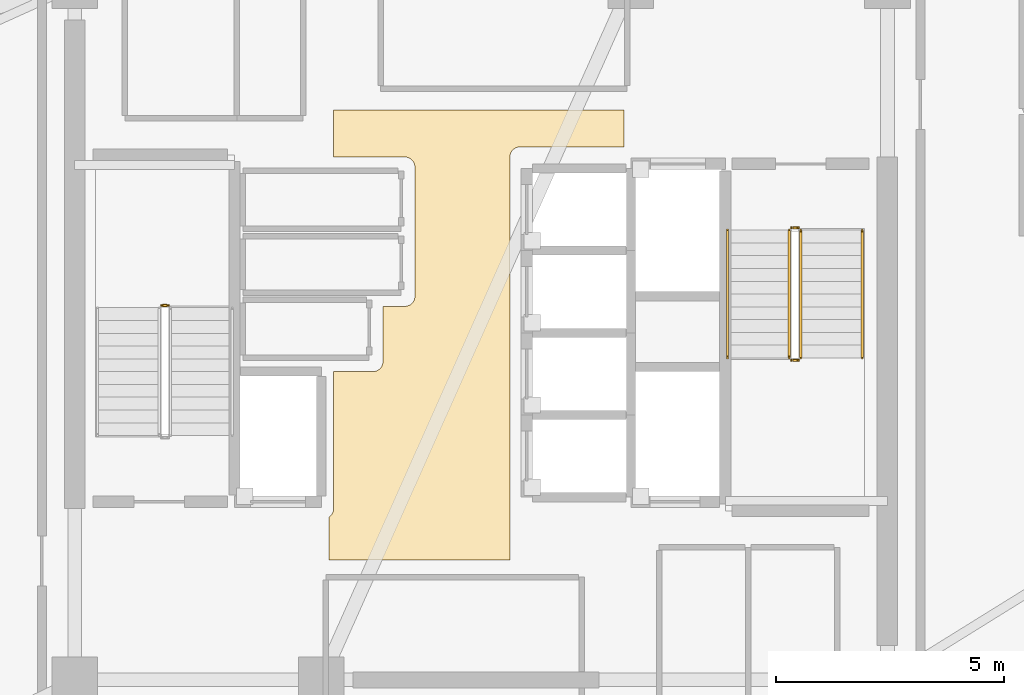
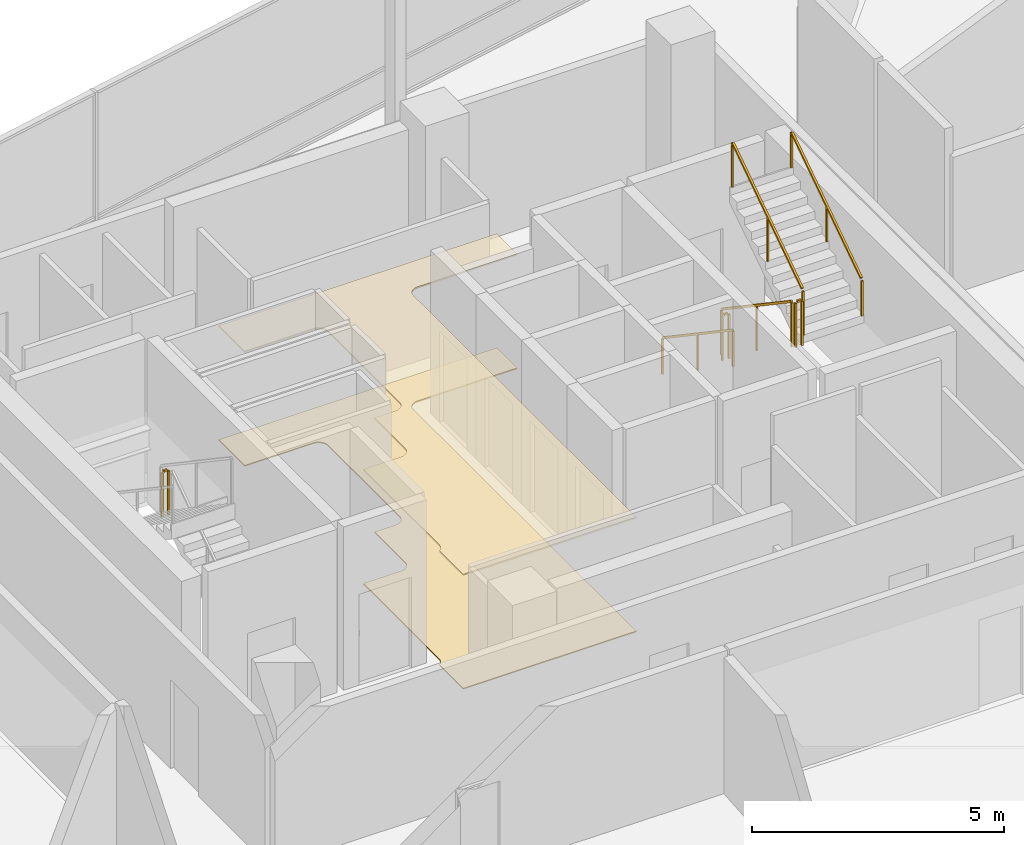
# One storey, part 16 of 17: 7 railings, 2 coverings.
"""IFC4 building model written with IfcOpenShell, lengths in metres."""

from ifc_helpers import new_model, si_unit, direction, frame, origin, origin_2d, place, context, subcontext, project, spatial, polyline, rectangle, outline, extrude, material, layer, layer_set, type_object, element, save


model = new_model("IFC4")

# Units and contexts
model_context = context("Model", 3, precision=1e-05, world=origin(), true_north=direction((0.0, 1.0)))
body_context = subcontext(model_context, "Body", "Model", "MODEL_VIEW")
ifc_project = project(units=[si_unit("LENGTHUNIT", "METRE"), si_unit("AREAUNIT", "SQUARE_METRE"), si_unit("VOLUMEUNIT", "CUBIC_METRE"), si_unit("PLANEANGLEUNIT", "RADIAN"), si_unit("MASSUNIT", "GRAM", prefix="KILO")], contexts=[model_context])

# Site, building, storey
site_placement = place(None, origin())
site = spatial("IfcSite", under=ifc_project, at=site_placement, CompositionType="ELEMENT")
building_placement = place(site_placement, origin())
building = spatial("IfcBuilding", under=site, at=building_placement, Name="Tharavind Bronze Gate", CompositionType="ELEMENT")
storey_placement = place(building_placement, frame((0.0, 0.0, 298.0)))
storey = spatial("IfcBuildingStorey", under=building, at=storey_placement, Name="L77", CompositionType="ELEMENT", Elevation=298.0)

# Coverings
ifc_material_1 = material(Name="Perforated Bronze Acoustic Panel", Category="bronze")
ifc_layer_1 = layer(ifc_material_1, 0.044921875)
ifc_layer_set_1 = layer_set([ifc_layer_1], Name="Perforated Bronze Acoustic Panel")
covering_type_1 = type_object("IfcCoveringType", Name="ACOUSTIC BRONZE BAFFLE CEILING", PredefinedType="CEILING", material=ifc_layer_set_1)
covering_1_placement = place(storey_placement, frame((0.0, 0.0, 2.75)))
element("IfcCovering", 1, at=covering_1_placement, inside=storey, type_object=covering_type_1, Name="L77-C-LL suspended ceiling", PredefinedType="CEILING", context=body_context, shape_type="SweptSolid", body=[
    extrude(outline(polyline([(-3.330078125, -4.97998046875), (0.6298828125, -4.97998046875), (0.6298828125, 3.85009765625), (0.631103515625, 3.87158203125), (0.63427734375, 3.892822265625), (0.639404296875, 3.913818359375), (0.646728515625, 3.93408203125), (0.656005859375, 3.95361328125), (0.6669921875, 3.97216796875), (0.679931640625, 3.989501953125), (0.6943359375, 4.005615234375), (0.71044921875, 4.02001953125), (0.727783203125, 4.032958984375), (0.746337890625, 4.0439453125), (0.765869140625, 4.05322265625), (0.7861328125, 4.060546875), (0.80712890625, 4.06591796875), (0.828369140625, 4.06884765625), (0.85009765625, 4.070068359375), (3.1298828125, 4.070068359375), (3.1298828125, 4.8798828125), (-3.22998046875, 4.8798828125), (-3.22998046875, 3.85009765625), (-1.669921875, 3.85009765625), (-1.6484375, 3.848876953125), (-1.627197265625, 3.845703125), (-1.606201171875, 3.840576171875), (-1.585693359375, 3.833251953125), (-1.56640625, 3.823974609375), (-1.5478515625, 3.81298828125), (-1.530517578125, 3.800048828125), (-1.514404296875, 3.78564453125), (-1.5, 3.76953125), (-1.487060546875, 3.752197265625), (-1.47607421875, 3.733642578125), (-1.466796875, 3.714111328125), (-1.45947265625, 3.69384765625), (-1.4541015625, 3.6728515625), (-1.451171875, 3.651611328125), (-1.449951171875, 3.6298828125), (-1.449951171875, 0.800048828125), (-1.451171875, 0.7783203125), (-1.4541015625, 0.757080078125), (-1.45947265625, 0.736083984375), (-1.466796875, 0.7158203125), (-1.47607421875, 0.6962890625), (-1.487060546875, 0.677734375), (-1.5, 0.660400390625), (-1.514404296875, 0.644287109375), (-1.530517578125, 0.6298828125), (-1.5478515625, 0.6171875), (-1.56640625, 0.60595703125), (-1.585693359375, 0.5966796875), (-1.606201171875, 0.589599609375), (-1.627197265625, 0.584228515625), (-1.6484375, 0.5810546875), (-1.669921875, 0.580078125), (-2.14990234375, 0.580078125), (-2.14990234375, -0.6298828125), (-2.151123046875, -0.651611328125), (-2.154296875, -0.6728515625), (-2.159423828125, -0.69384765625), (-2.166748046875, -0.714111328125), (-2.176025390625, -0.733642578125), (-2.18701171875, -0.752197265625), (-2.199951171875, -0.76953125), (-2.21435546875, -0.78564453125), (-2.23046875, -0.800048828125), (-2.247802734375, -0.81298828125), (-2.266357421875, -0.823974609375), (-2.285888671875, -0.833251953125), (-2.30615234375, -0.840576171875), (-2.3271484375, -0.845703125), (-2.348388671875, -0.848876953125), (-2.3701171875, -0.85009765625), (-3.22998046875, -0.85009765625), (-3.22998046875, -3.85009765625), (-3.231201171875, -3.87158203125), (-3.234130859375, -3.892822265625), (-3.239501953125, -3.913818359375), (-3.24658203125, -3.93408203125), (-3.256103515625, -3.95361328125), (-3.26708984375, -3.97216796875), (-3.27978515625, -3.989501953125), (-3.29443359375, -4.005615234375), (-3.310302734375, -4.02001953125), (-3.327880859375, -4.032958984375), (-3.330078125, -4.0341796875), (-3.330078125, -4.97998046875)])), origin(), (0.0, 0.0, 1.0), 0.034912109375),
])
ifc_material_2 = material(Name="Honed Travertine Limestone", Category="masonry")
ifc_layer_2 = layer(ifc_material_2, 0.030029296875)
ifc_layer_set_2 = layer_set([ifc_layer_2], Name="Honed Travertine Limestone")
covering_type_2 = type_object("IfcCoveringType", Name="HONED LIMESTONE FLOORING", PredefinedType="FLOORING", material=ifc_layer_set_2)
covering_2_placement = place(storey_placement, origin())
element("IfcCovering", 2, at=covering_2_placement, inside=storey, type_object=covering_type_2, Name="L77-C-LL floor finish", PredefinedType="FLOORING", context=body_context, shape_type="SweptSolid", body=[
    extrude(outline(polyline([(-3.330078125, -4.97998046875), (0.6298828125, -4.97998046875), (0.6298828125, 3.85009765625), (0.631103515625, 3.87158203125), (0.63427734375, 3.892822265625), (0.639404296875, 3.913818359375), (0.646728515625, 3.93408203125), (0.656005859375, 3.95361328125), (0.6669921875, 3.97216796875), (0.679931640625, 3.989501953125), (0.6943359375, 4.005615234375), (0.71044921875, 4.02001953125), (0.727783203125, 4.032958984375), (0.746337890625, 4.0439453125), (0.765869140625, 4.05322265625), (0.7861328125, 4.060546875), (0.80712890625, 4.06591796875), (0.828369140625, 4.06884765625), (0.85009765625, 4.070068359375), (3.1298828125, 4.070068359375), (3.1298828125, 4.8798828125), (-3.22998046875, 4.8798828125), (-3.22998046875, 3.85009765625), (-1.669921875, 3.85009765625), (-1.6484375, 3.848876953125), (-1.627197265625, 3.845703125), (-1.606201171875, 3.840576171875), (-1.585693359375, 3.833251953125), (-1.56640625, 3.823974609375), (-1.5478515625, 3.81298828125), (-1.530517578125, 3.800048828125), (-1.514404296875, 3.78564453125), (-1.5, 3.76953125), (-1.487060546875, 3.752197265625), (-1.47607421875, 3.733642578125), (-1.466796875, 3.714111328125), (-1.45947265625, 3.69384765625), (-1.4541015625, 3.6728515625), (-1.451171875, 3.651611328125), (-1.449951171875, 3.6298828125), (-1.449951171875, 0.800048828125), (-1.451171875, 0.7783203125), (-1.4541015625, 0.757080078125), (-1.45947265625, 0.736083984375), (-1.466796875, 0.7158203125), (-1.47607421875, 0.6962890625), (-1.487060546875, 0.677734375), (-1.5, 0.660400390625), (-1.514404296875, 0.644287109375), (-1.530517578125, 0.6298828125), (-1.5478515625, 0.6171875), (-1.56640625, 0.60595703125), (-1.585693359375, 0.5966796875), (-1.606201171875, 0.589599609375), (-1.627197265625, 0.584228515625), (-1.6484375, 0.5810546875), (-1.669921875, 0.580078125), (-2.14990234375, 0.580078125), (-2.14990234375, -0.6298828125), (-2.151123046875, -0.651611328125), (-2.154296875, -0.6728515625), (-2.159423828125, -0.69384765625), (-2.166748046875, -0.714111328125), (-2.176025390625, -0.733642578125), (-2.18701171875, -0.752197265625), (-2.199951171875, -0.76953125), (-2.21435546875, -0.78564453125), (-2.23046875, -0.800048828125), (-2.247802734375, -0.81298828125), (-2.266357421875, -0.823974609375), (-2.285888671875, -0.833251953125), (-2.30615234375, -0.840576171875), (-2.3271484375, -0.845703125), (-2.348388671875, -0.848876953125), (-2.3701171875, -0.85009765625), (-3.22998046875, -0.85009765625), (-3.22998046875, -3.85009765625), (-3.231201171875, -3.87158203125), (-3.234130859375, -3.892822265625), (-3.239501953125, -3.913818359375), (-3.24658203125, -3.93408203125), (-3.256103515625, -3.95361328125), (-3.26708984375, -3.97216796875), (-3.27978515625, -3.989501953125), (-3.29443359375, -4.005615234375), (-3.310302734375, -4.02001953125), (-3.327880859375, -4.032958984375), (-3.330078125, -4.0341796875), (-3.330078125, -4.97998046875)])), origin(), (0.0, 0.0, 1.0), 0.02490234375),
])

# Railings
ifc_material_3 = material(Name="Brushed Bronze Alloy", Category="metal")
railing_type_1 = type_object("IfcRailingType", Name="STAIR BRONZE HANDRAIL 900", PredefinedType="HANDRAIL", material=ifc_material_3)
railing_1_placement = place(storey_placement, frame((5.39990234375, 2.25, 0.188720703125)))
element("IfcRailing", 3, at=railing_1_placement, inside=storey, type_object=railing_type_1, Name="L77 ST2 stair handrail 1", PredefinedType="HANDRAIL", context=body_context, shape_type="SweptSolid", body=[
    extrude(rectangle(XDim=0.048095703125, YDim=0.048095703125, at=origin_2d()), frame((0.0, -0.026611328125, 0.893798828125), z_axis=(0.0, -0.829370595332, 0.558698859494), x_axis=(1.0, 0.0, 0.0)), (0.0, 0.0, 1.0), 3.31201171875),
    extrude(rectangle(XDim=0.0400390625, YDim=0.0400390625, at=origin_2d()), origin(), (0.0, 0.0, 1.0), 0.847900390625),
    extrude(rectangle(XDim=0.0400390625, YDim=0.0400390625, at=origin_2d()), frame((0.0, -1.39990234375, 0.943115234375)), (0.0, 0.0, 1.0), 0.847900390625),
    extrude(rectangle(XDim=0.0400390625, YDim=0.0400390625, at=origin_2d()), frame((0.0, -2.800048828125, 1.88623046875)), (0.0, 0.0, 1.0), 0.847900390625),
])
railing_2_placement = place(storey_placement, frame((8.35009765625, -0.550048828125, 2.263671875)))
element("IfcRailing", 4, at=railing_2_placement, inside=storey, type_object=railing_type_1, Name="L77 ST2 stair handrail 2", PredefinedType="HANDRAIL", context=body_context, shape_type="SweptSolid", body=[
    extrude(rectangle(XDim=0.048095703125, YDim=0.048095703125, at=origin_2d()), frame((0.0, 0.026611328125, 0.893798828125), z_axis=(0.0, 0.829370595332, 0.558698859494), x_axis=(-1.0, 0.0, 0.0)), (0.0, 0.0, 1.0), 3.31201171875),
    extrude(rectangle(XDim=0.0400390625, YDim=0.0400390625, at=origin_2d()), origin(), (0.0, 0.0, 1.0), 0.847900390625),
    extrude(rectangle(XDim=0.0400390625, YDim=0.0400390625, at=origin_2d()), frame((0.0, 1.39990234375, 0.943115234375)), (0.0, 0.0, 1.0), 0.847900390625),
    extrude(rectangle(XDim=0.0400390625, YDim=0.0400390625, at=origin_2d()), frame((0.0, 2.800048828125, 1.88623046875)), (0.0, 0.0, 1.0), 0.847900390625),
])
railing_type_2 = type_object("IfcRailingType", Name="STAIR WELL GUARD RAILING 1120", PredefinedType="GUARDRAIL", material=ifc_material_3)
railing_3_placement = place(storey_placement, frame((-6.85009765625, 0.60009765625, 2.074951171875)))
element("IfcRailing", 5, at=railing_3_placement, inside=storey, type_object=railing_type_2, Name="L77 ST1 stair guard 2", PredefinedType="GUARDRAIL", context=body_context, shape_type="SweptSolid", body=[
    extrude(rectangle(XDim=0.048095703125, YDim=0.048095703125, at=origin_2d()), frame((-0.031982421875, 0.0, 1.09619140625), z_axis=(-1.0, 0.0, 0.0), x_axis=(0.0, -1.0, 0.0)), (0.0, 0.0, 1.0), 0.0859375),
    extrude(rectangle(XDim=0.0400390625, YDim=0.0400390625, at=origin_2d()), origin(), (0.0, 0.0, 1.0), 1.068115234375),
    extrude(rectangle(XDim=0.0400390625, YDim=0.0400390625, at=origin_2d()), frame((-0.14990234375, 0.0, 0.0)), (0.0, 0.0, 1.0), 1.068115234375),
])
railing_4_placement = place(storey_placement, frame((6.75, 2.25, 0.188720703125)))
element("IfcRailing", 6, at=railing_4_placement, inside=storey, type_object=railing_type_2, Name="L77 ST2 stair guard 1", PredefinedType="GUARDRAIL", context=body_context, shape_type="SweptSolid", body=[
    extrude(rectangle(XDim=0.048095703125, YDim=0.048095703125, at=origin_2d()), frame((0.0, -0.026611328125, 1.114013671875), z_axis=(0.0, -0.829370595332, 0.558698859494), x_axis=(1.0, 0.0, 0.0)), (0.0, 0.0, 1.0), 3.31201171875),
    extrude(rectangle(XDim=0.0400390625, YDim=0.0400390625, at=origin_2d()), origin(), (0.0, 0.0, 1.0), 1.068115234375),
    extrude(rectangle(XDim=0.0400390625, YDim=0.0400390625, at=origin_2d()), frame((0.0, -1.39990234375, 0.943115234375)), (0.0, 0.0, 1.0), 1.068115234375),
    extrude(rectangle(XDim=0.0400390625, YDim=0.0400390625, at=origin_2d()), frame((0.0, -2.800048828125, 1.88623046875)), (0.0, 0.0, 1.0), 1.068115234375),
])
railing_5_placement = place(storey_placement, frame((6.800048828125, -0.60009765625, 2.074951171875)))
element("IfcRailing", 7, at=railing_5_placement, inside=storey, type_object=railing_type_2, Name="L77 ST2 stair guard 2", PredefinedType="GUARDRAIL", context=body_context, shape_type="SweptSolid", body=[
    extrude(rectangle(XDim=0.048095703125, YDim=0.048095703125, at=origin_2d()), frame((0.031982421875, 0.0, 1.09619140625), z_axis=(1.0, 0.0, 0.0), x_axis=(0.0, 1.0, 0.0)), (0.0, 0.0, 1.0), 0.0859375),
    extrude(rectangle(XDim=0.0400390625, YDim=0.0400390625, at=origin_2d()), origin(), (0.0, 0.0, 1.0), 1.068115234375),
    extrude(rectangle(XDim=0.0400390625, YDim=0.0400390625, at=origin_2d()), frame((0.14990234375, 0.0, 0.0)), (0.0, 0.0, 1.0), 1.068115234375),
])
railing_6_placement = place(storey_placement, frame((7.0, -0.550048828125, 2.263671875)))
element("IfcRailing", 8, at=railing_6_placement, inside=storey, type_object=railing_type_2, Name="L77 ST2 stair guard 3", PredefinedType="GUARDRAIL", context=body_context, shape_type="SweptSolid", body=[
    extrude(rectangle(XDim=0.048095703125, YDim=0.048095703125, at=origin_2d()), frame((0.0, 0.026611328125, 1.114013671875), z_axis=(0.0, 0.829370595332, 0.558698859494), x_axis=(-1.0, 0.0, 0.0)), (0.0, 0.0, 1.0), 3.31201171875),
    extrude(rectangle(XDim=0.0400390625, YDim=0.0400390625, at=origin_2d()), origin(), (0.0, 0.0, 1.0), 1.068115234375),
    extrude(rectangle(XDim=0.0400390625, YDim=0.0400390625, at=origin_2d()), frame((0.0, 1.39990234375, 0.943115234375)), (0.0, 0.0, 1.0), 1.068115234375),
    extrude(rectangle(XDim=0.0400390625, YDim=0.0400390625, at=origin_2d()), frame((0.0, 2.800048828125, 1.88623046875)), (0.0, 0.0, 1.0), 1.068115234375),
])
railing_7_placement = place(storey_placement, frame((6.800048828125, 2.300048828125, 0.0)))
element("IfcRailing", 9, at=railing_7_placement, inside=storey, type_object=railing_type_2, Name="L77 ST2 stair guard 4", PredefinedType="GUARDRAIL", context=body_context, shape_type="SweptSolid", body=[
    extrude(rectangle(XDim=0.048095703125, YDim=0.048095703125, at=origin_2d()), frame((0.031982421875, 0.0, 1.09619140625), z_axis=(1.0, 0.0, 0.0), x_axis=(0.0, 1.0, 0.0)), (0.0, 0.0, 1.0), 0.0859375),
    extrude(rectangle(XDim=0.0400390625, YDim=0.0400390625, at=origin_2d()), origin(), (0.0, 0.0, 1.0), 1.068115234375),
    extrude(rectangle(XDim=0.0400390625, YDim=0.0400390625, at=origin_2d()), frame((0.14990234375, 0.0, 0.0)), (0.0, 0.0, 1.0), 1.068115234375),
])

save(model, "model.ifc")
